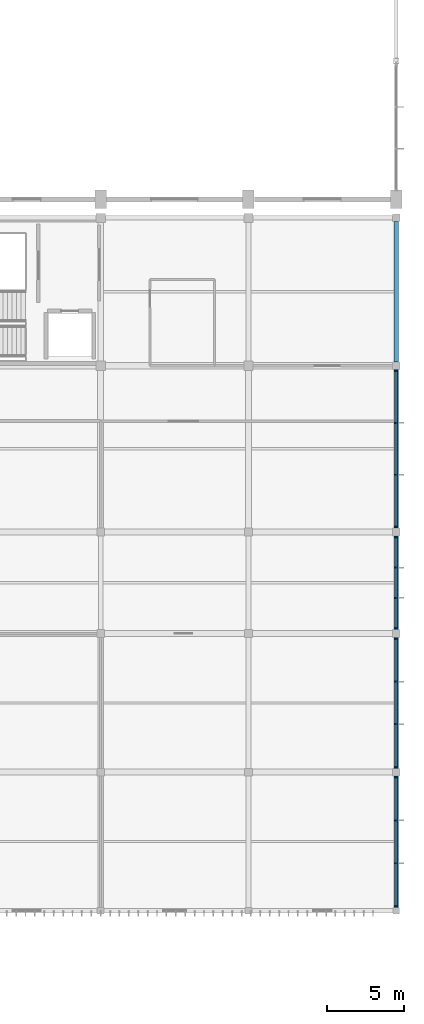
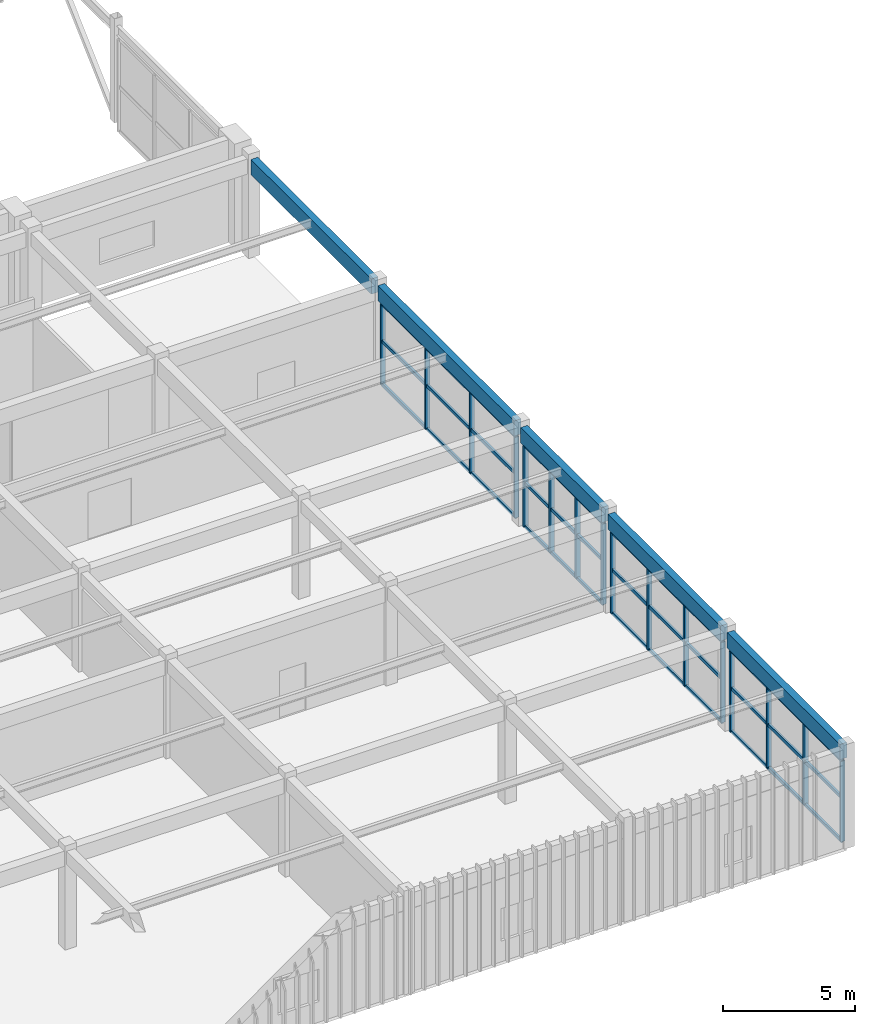
# One storey, part 31 of 74: 44 members, 5 beams, 4 elements without a shape of their own.
"""IFC4 building model written with IfcOpenShell, lengths in metres."""

from ifc_helpers import new_model, si_unit, direction, frame, origin, origin_2d, place, context, subcontext, project, spatial, rectangle, extrude, material, material_profile, profile_set, type_object, element, aggregate, save


model = new_model("IFC4")

# Units and contexts
model_context = context("Model", 3, precision=1e-05, world=origin(), true_north=direction((0.0, 1.0)))
body_context = subcontext(model_context, "Body", "Model", "MODEL_VIEW")
ifc_project = project(units=[si_unit("LENGTHUNIT", "METRE"), si_unit("AREAUNIT", "SQUARE_METRE"), si_unit("VOLUMEUNIT", "CUBIC_METRE"), si_unit("PLANEANGLEUNIT", "RADIAN"), si_unit("MASSUNIT", "GRAM", prefix="KILO")], contexts=[model_context])

# Site, building, storey
site_placement = place(None, origin())
site = spatial("IfcSite", under=ifc_project, at=site_placement, CompositionType="ELEMENT")
building_placement = place(site_placement, origin())
building = spatial("IfcBuilding", under=site, at=building_placement, Name="Suirenkawa Promenade Aquatics Centre", CompositionType="ELEMENT")
storey_placement = place(building_placement, frame((0.0, 0.0, 4.800048828125)))
storey = spatial("IfcBuildingStorey", under=building, at=storey_placement, Name="L01", CompositionType="ELEMENT", Elevation=4.800048828125)

# Beams
ifc_material_1 = material(Name="Concrete M40", Category="concrete")
ifc_material_profile_1 = material_profile(ifc_material_1, rectangle(XDim=0.300048828125, YDim=0.699951171875, at=origin_2d()), Name="RC SPANDREL 300x700", Category="concrete")
ifc_profile_set_1 = profile_set([ifc_material_profile_1], Name="Concrete M40")
beam_type = type_object("IfcBeamType", Name="BT-SPANDREL-300x700", PredefinedType="SPANDREL", material=ifc_profile_set_1)
beam_1_placement = place(storey_placement, frame((194.39990234375, 4.4189453125, 4.18994140625), z_axis=(0.0, 1.0, 0.0), x_axis=(-1.0, 0.0, 0.0)))
element("IfcBeam", 1, at=beam_1_placement, inside=storey, type_object=beam_type, Name="Floor beam SP-01 BM-1718", PredefinedType="SPANDREL", context=body_context, shape_type="SweptSolid", body=[
    extrude(rectangle(XDim=0.300048828125, YDim=0.699951171875, at=origin_2d()), origin(), (0.0, 0.0, 1.0), 8.537109375),
])
beam_2_placement = place(storey_placement, frame((194.39990234375, 13.444091796875, 4.18994140625), z_axis=(0.0, 1.0, 0.0), x_axis=(-1.0, 0.0, 0.0)))
element("IfcBeam", 2, at=beam_2_placement, inside=storey, type_object=beam_type, Name="Floor beam SP-01 BM-1719", PredefinedType="SPANDREL", context=body_context, shape_type="SweptSolid", body=[
    extrude(rectangle(XDim=0.300048828125, YDim=0.699951171875, at=origin_2d()), origin(), (0.0, 0.0, 1.0), 8.511962890625),
])
beam_3_placement = place(storey_placement, frame((194.39990234375, 22.444091796875, 4.18994140625), z_axis=(0.0, 1.0, 0.0), x_axis=(-1.0, 0.0, 0.0)))
element("IfcBeam", 3, at=beam_3_placement, inside=storey, type_object=beam_type, Name="Floor beam SP-01 BM-1720", PredefinedType="SPANDREL", context=body_context, shape_type="SweptSolid", body=[
    extrude(rectangle(XDim=0.300048828125, YDim=0.699951171875, at=origin_2d()), origin(), (0.0, 0.0, 1.0), 6.11181640625),
])
beam_4_placement = place(storey_placement, frame((194.39990234375, 29.0439453125, 4.18994140625), z_axis=(0.0, 1.0, 0.0), x_axis=(-1.0, 0.0, 0.0)))
element("IfcBeam", 4, at=beam_4_placement, inside=storey, type_object=beam_type, Name="Floor beam SP-01 BM-1721", PredefinedType="SPANDREL", context=body_context, shape_type="SweptSolid", body=[
    extrude(rectangle(XDim=0.300048828125, YDim=0.699951171875, at=origin_2d()), origin(), (0.0, 0.0, 1.0), 10.31201171875),
])
beam_5_placement = place(storey_placement, frame((194.39990234375, 39.843994140625, 4.18994140625), z_axis=(0.0, 1.0, 0.0), x_axis=(-1.0, 0.0, 0.0)))
element("IfcBeam", 5, at=beam_5_placement, inside=storey, type_object=beam_type, Name="Floor beam SP-01 BM-1722", PredefinedType="SPANDREL", context=body_context, shape_type="SweptSolid", body=[
    extrude(rectangle(XDim=0.300048828125, YDim=0.699951171875, at=origin_2d()), origin(), (0.0, 0.0, 1.0), 9.112060546875),
])

# Curtain wall, members
ifc_material_2 = material(Name="Anodised aluminium 6063-T6", Category="aluminium")
curtain_wall_type_1 = type_object("IfcCurtainWallType", Name="CWAT-V4EL01-29", PredefinedType="NOTDEFINED", material=ifc_material_2)
curtain_wall_1_placement = place(storey_placement, origin())
curtain_wall_1 = element("IfcCurtainWall", 6, at=curtain_wall_1_placement, inside=storey, type_object=curtain_wall_type_1, Name="Curtain wall CWA-29 CW-072", PredefinedType="NOTDEFINED")
ifc_material_profile_2 = material_profile(ifc_material_2, rectangle(XDim=0.094970703125, YDim=0.18994140625, at=origin_2d()), Name="ALU MULL 95x190", Category="aluminium")
ifc_profile_set_2 = profile_set([ifc_material_profile_2], Name="Anodised aluminium 6063-T6")
member_type_1 = type_object("IfcMemberType", Name="CWM-190x95", PredefinedType="MULLION", material=ifc_profile_set_2)
member_1_placement = place(storey_placement, frame((194.39990234375, 12.85107421875, 0.0), z_axis=(0.0, 0.0, 1.0), x_axis=(0.0, -1.0, 0.0)))
member_1 = element("IfcMember", 7, at=member_1_placement, type_object=member_type_1, Name="Mullion ML-02 CWM-01448", PredefinedType="MULLION", context=body_context, shape_type="SweptSolid", body=[
    extrude(rectangle(XDim=0.094970703125, YDim=0.18994140625, at=origin_2d()), origin(), (0.0, 0.0, 1.0), 3.719970703125),
])
member_2_placement = place(storey_placement, frame((194.39990234375, 10.06689453125, 0.0), z_axis=(0.0, 0.0, 1.0), x_axis=(0.0, -1.0, 0.0)))
member_2 = element("IfcMember", 8, at=member_2_placement, type_object=member_type_1, Name="Mullion ML-02 CWM-01449", PredefinedType="MULLION", context=body_context, shape_type="SweptSolid", body=[
    extrude(rectangle(XDim=0.094970703125, YDim=0.18994140625, at=origin_2d()), origin(), (0.0, 0.0, 1.0), 3.719970703125),
])
member_3_placement = place(storey_placement, frame((194.39990234375, 7.282958984375, 0.0), z_axis=(0.0, 0.0, 1.0), x_axis=(0.0, -1.0, 0.0)))
member_3 = element("IfcMember", 9, at=member_3_placement, type_object=member_type_1, Name="Mullion ML-02 CWM-01450", PredefinedType="MULLION", context=body_context, shape_type="SweptSolid", body=[
    extrude(rectangle(XDim=0.094970703125, YDim=0.18994140625, at=origin_2d()), origin(), (0.0, 0.0, 1.0), 3.719970703125),
])
member_4_placement = place(storey_placement, frame((194.39990234375, 4.4990234375, 0.0), z_axis=(0.0, 0.0, 1.0), x_axis=(0.0, -1.0, 0.0)))
member_4 = element("IfcMember", 10, at=member_4_placement, type_object=member_type_1, Name="Mullion ML-02 CWM-01451", PredefinedType="MULLION", context=body_context, shape_type="SweptSolid", body=[
    extrude(rectangle(XDim=0.094970703125, YDim=0.18994140625, at=origin_2d()), origin(), (0.0, 0.0, 1.0), 3.719970703125),
])

curtain_wall_type_2 = type_object("IfcCurtainWallType", Name="CWAT-V4EL01-31", PredefinedType="NOTDEFINED", material=ifc_material_2)
curtain_wall_2_placement = place(storey_placement, origin())
curtain_wall_2 = element("IfcCurtainWall", 11, at=curtain_wall_2_placement, inside=storey, type_object=curtain_wall_type_2, Name="Curtain wall CWA-31 CW-074", PredefinedType="NOTDEFINED")
member_5_placement = place(storey_placement, frame((194.39990234375, 21.85107421875, 0.0), z_axis=(0.0, 0.0, 1.0), x_axis=(0.0, -1.0, 0.0)))
member_5 = element("IfcMember", 12, at=member_5_placement, type_object=member_type_1, Name="Mullion ML-02 CWM-01482", PredefinedType="MULLION", context=body_context, shape_type="SweptSolid", body=[
    extrude(rectangle(XDim=0.094970703125, YDim=0.18994140625, at=origin_2d()), origin(), (0.0, 0.0, 1.0), 3.719970703125),
])
member_6_placement = place(storey_placement, frame((194.39990234375, 19.083740234375, 0.0), z_axis=(0.0, 0.0, 1.0), x_axis=(0.0, -1.0, 0.0)))
member_6 = element("IfcMember", 13, at=member_6_placement, type_object=member_type_1, Name="Mullion ML-02 CWM-01483", PredefinedType="MULLION", context=body_context, shape_type="SweptSolid", body=[
    extrude(rectangle(XDim=0.094970703125, YDim=0.18994140625, at=origin_2d()), origin(), (0.0, 0.0, 1.0), 3.719970703125),
])
member_7_placement = place(storey_placement, frame((194.39990234375, 16.31640625, 0.0), z_axis=(0.0, 0.0, 1.0), x_axis=(0.0, -1.0, 0.0)))
member_7 = element("IfcMember", 14, at=member_7_placement, type_object=member_type_1, Name="Mullion ML-02 CWM-01484", PredefinedType="MULLION", context=body_context, shape_type="SweptSolid", body=[
    extrude(rectangle(XDim=0.094970703125, YDim=0.18994140625, at=origin_2d()), origin(), (0.0, 0.0, 1.0), 3.719970703125),
])
member_8_placement = place(storey_placement, frame((194.39990234375, 13.549072265625, 0.0), z_axis=(0.0, 0.0, 1.0), x_axis=(0.0, -1.0, 0.0)))
member_8 = element("IfcMember", 15, at=member_8_placement, type_object=member_type_1, Name="Mullion ML-02 CWM-01485", PredefinedType="MULLION", context=body_context, shape_type="SweptSolid", body=[
    extrude(rectangle(XDim=0.094970703125, YDim=0.18994140625, at=origin_2d()), origin(), (0.0, 0.0, 1.0), 3.719970703125),
])

curtain_wall_type_3 = type_object("IfcCurtainWallType", Name="CWAT-V4EL01-33", PredefinedType="NOTDEFINED", material=ifc_material_2)
curtain_wall_3_placement = place(storey_placement, origin())
curtain_wall_3 = element("IfcCurtainWall", 16, at=curtain_wall_3_placement, inside=storey, type_object=curtain_wall_type_3, Name="Curtain wall CWA-33 CW-076", PredefinedType="NOTDEFINED")
member_9_placement = place(storey_placement, frame((194.39990234375, 28.450927734375, 0.0), z_axis=(0.0, 0.0, 1.0), x_axis=(0.0, -1.0, 0.0)))
member_9 = element("IfcMember", 17, at=member_9_placement, type_object=member_type_1, Name="Mullion ML-02 CWM-01516", PredefinedType="MULLION", context=body_context, shape_type="SweptSolid", body=[
    extrude(rectangle(XDim=0.094970703125, YDim=0.18994140625, at=origin_2d()), origin(), (0.0, 0.0, 1.0), 3.719970703125),
])
member_10_placement = place(storey_placement, frame((194.39990234375, 26.483642578125, 0.0), z_axis=(0.0, 0.0, 1.0), x_axis=(0.0, -1.0, 0.0)))
member_10 = element("IfcMember", 18, at=member_10_placement, type_object=member_type_1, Name="Mullion ML-02 CWM-01517", PredefinedType="MULLION", context=body_context, shape_type="SweptSolid", body=[
    extrude(rectangle(XDim=0.094970703125, YDim=0.18994140625, at=origin_2d()), origin(), (0.0, 0.0, 1.0), 3.719970703125),
])
member_11_placement = place(storey_placement, frame((194.39990234375, 24.516357421875, 0.0), z_axis=(0.0, 0.0, 1.0), x_axis=(0.0, -1.0, 0.0)))
member_11 = element("IfcMember", 19, at=member_11_placement, type_object=member_type_1, Name="Mullion ML-02 CWM-01518", PredefinedType="MULLION", context=body_context, shape_type="SweptSolid", body=[
    extrude(rectangle(XDim=0.094970703125, YDim=0.18994140625, at=origin_2d()), origin(), (0.0, 0.0, 1.0), 3.719970703125),
])
member_12_placement = place(storey_placement, frame((194.39990234375, 22.549072265625, 0.0), z_axis=(0.0, 0.0, 1.0), x_axis=(0.0, -1.0, 0.0)))
member_12 = element("IfcMember", 20, at=member_12_placement, type_object=member_type_1, Name="Mullion ML-02 CWM-01519", PredefinedType="MULLION", context=body_context, shape_type="SweptSolid", body=[
    extrude(rectangle(XDim=0.094970703125, YDim=0.18994140625, at=origin_2d()), origin(), (0.0, 0.0, 1.0), 3.719970703125),
])

curtain_wall_type_4 = type_object("IfcCurtainWallType", Name="CWAT-V4EL01-35", PredefinedType="NOTDEFINED", material=ifc_material_2)
curtain_wall_4_placement = place(storey_placement, origin())
curtain_wall_4 = element("IfcCurtainWall", 21, at=curtain_wall_4_placement, inside=storey, type_object=curtain_wall_type_4, Name="Curtain wall CWA-35 CW-078", PredefinedType="NOTDEFINED")
member_13_placement = place(storey_placement, frame((194.39990234375, 39.2509765625, 0.0), z_axis=(0.0, 0.0, 1.0), x_axis=(0.0, -1.0, 0.0)))
member_13 = element("IfcMember", 22, at=member_13_placement, type_object=member_type_1, Name="Mullion ML-02 CWM-01550", PredefinedType="MULLION", context=body_context, shape_type="SweptSolid", body=[
    extrude(rectangle(XDim=0.094970703125, YDim=0.18994140625, at=origin_2d()), origin(), (0.0, 0.0, 1.0), 3.719970703125),
])
member_14_placement = place(storey_placement, frame((194.39990234375, 35.8837890625, 0.0), z_axis=(0.0, 0.0, 1.0), x_axis=(0.0, -1.0, 0.0)))
member_14 = element("IfcMember", 23, at=member_14_placement, type_object=member_type_1, Name="Mullion ML-02 CWM-01551", PredefinedType="MULLION", context=body_context, shape_type="SweptSolid", body=[
    extrude(rectangle(XDim=0.094970703125, YDim=0.18994140625, at=origin_2d()), origin(), (0.0, 0.0, 1.0), 3.719970703125),
])
member_15_placement = place(storey_placement, frame((194.39990234375, 32.516357421875, 0.0), z_axis=(0.0, 0.0, 1.0), x_axis=(0.0, -1.0, 0.0)))
member_15 = element("IfcMember", 24, at=member_15_placement, type_object=member_type_1, Name="Mullion ML-02 CWM-01552", PredefinedType="MULLION", context=body_context, shape_type="SweptSolid", body=[
    extrude(rectangle(XDim=0.094970703125, YDim=0.18994140625, at=origin_2d()), origin(), (0.0, 0.0, 1.0), 3.719970703125),
])
member_16_placement = place(storey_placement, frame((194.39990234375, 29.14892578125, 0.0), z_axis=(0.0, 0.0, 1.0), x_axis=(0.0, -1.0, 0.0)))
member_16 = element("IfcMember", 25, at=member_16_placement, type_object=member_type_1, Name="Mullion ML-02 CWM-01553", PredefinedType="MULLION", context=body_context, shape_type="SweptSolid", body=[
    extrude(rectangle(XDim=0.094970703125, YDim=0.18994140625, at=origin_2d()), origin(), (0.0, 0.0, 1.0), 3.719970703125),
])

# Member
ifc_material_profile_3 = material_profile(ifc_material_2, rectangle(XDim=0.094970703125, YDim=0.14990234375, at=origin_2d()), Name="ALU TRAN 95x150", Category="aluminium")
ifc_profile_set_3 = profile_set([ifc_material_profile_3], Name="Anodised aluminium 6063-T6")
member_type_2 = type_object("IfcMemberType", Name="CWT-150x95", PredefinedType="USERDEFINED", material=ifc_profile_set_3)
member_17_placement = place(storey_placement, frame((194.39990234375, 12.85107421875, 0.0), z_axis=(0.0, -1.0, 0.0), x_axis=(1.0, 0.0, 0.0)))
member_17 = element("IfcMember", 26, at=member_17_placement, type_object=member_type_2, Name="Transom TR-02 CWT-01452", ObjectType="TRANSOM", PredefinedType="USERDEFINED", context=body_context, shape_type="SweptSolid", body=[
    extrude(rectangle(XDim=0.094970703125, YDim=0.14990234375, at=origin_2d()), origin(), (0.0, 0.0, 1.0), 2.7841796875),
])

member_18_placement = place(storey_placement, frame((194.39990234375, 10.06689453125, 0.0), z_axis=(0.0, -1.0, 0.0), x_axis=(1.0, 0.0, 0.0)))
member_18 = element("IfcMember", 27, at=member_18_placement, type_object=member_type_2, Name="Transom TR-02 CWT-01453", ObjectType="TRANSOM", PredefinedType="USERDEFINED", context=body_context, shape_type="SweptSolid", body=[
    extrude(rectangle(XDim=0.094970703125, YDim=0.14990234375, at=origin_2d()), origin(), (0.0, 0.0, 1.0), 2.783935546875),
])

member_19_placement = place(storey_placement, frame((194.39990234375, 7.282958984375, 0.0), z_axis=(0.0, -1.0, 0.0), x_axis=(1.0, 0.0, 0.0)))
member_19 = element("IfcMember", 28, at=member_19_placement, type_object=member_type_2, Name="Transom TR-02 CWT-01454", ObjectType="TRANSOM", PredefinedType="USERDEFINED", context=body_context, shape_type="SweptSolid", body=[
    extrude(rectangle(XDim=0.094970703125, YDim=0.14990234375, at=origin_2d()), origin(), (0.0, 0.0, 1.0), 2.783935546875),
])

member_20_placement = place(storey_placement, frame((194.39990234375, 12.85107421875, 2.0), z_axis=(0.0, -1.0, 0.0), x_axis=(1.0, 0.0, 0.0)))
member_20 = element("IfcMember", 29, at=member_20_placement, type_object=member_type_2, Name="Transom TR-02 CWT-01455", ObjectType="TRANSOM", PredefinedType="USERDEFINED", context=body_context, shape_type="SweptSolid", body=[
    extrude(rectangle(XDim=0.094970703125, YDim=0.14990234375, at=origin_2d()), origin(), (0.0, 0.0, 1.0), 2.7841796875),
])

member_21_placement = place(storey_placement, frame((194.39990234375, 10.06689453125, 2.0), z_axis=(0.0, -1.0, 0.0), x_axis=(1.0, 0.0, 0.0)))
member_21 = element("IfcMember", 30, at=member_21_placement, type_object=member_type_2, Name="Transom TR-02 CWT-01456", ObjectType="TRANSOM", PredefinedType="USERDEFINED", context=body_context, shape_type="SweptSolid", body=[
    extrude(rectangle(XDim=0.094970703125, YDim=0.14990234375, at=origin_2d()), origin(), (0.0, 0.0, 1.0), 2.783935546875),
])

member_22_placement = place(storey_placement, frame((194.39990234375, 7.282958984375, 2.0), z_axis=(0.0, -1.0, 0.0), x_axis=(1.0, 0.0, 0.0)))
member_22 = element("IfcMember", 31, at=member_22_placement, type_object=member_type_2, Name="Transom TR-02 CWT-01457", ObjectType="TRANSOM", PredefinedType="USERDEFINED", context=body_context, shape_type="SweptSolid", body=[
    extrude(rectangle(XDim=0.094970703125, YDim=0.14990234375, at=origin_2d()), origin(), (0.0, 0.0, 1.0), 2.783935546875),
])

member_23_placement = place(storey_placement, frame((194.39990234375, 12.85107421875, 3.719970703125), z_axis=(0.0, -1.0, 0.0), x_axis=(1.0, 0.0, 0.0)))
member_23 = element("IfcMember", 32, at=member_23_placement, type_object=member_type_2, Name="Roofline transom TR-02 CWT-01458", ObjectType="TRANSOM", PredefinedType="USERDEFINED", context=body_context, shape_type="SweptSolid", body=[
    extrude(rectangle(XDim=0.094970703125, YDim=0.14990234375, at=origin_2d()), origin(), (0.0, 0.0, 1.0), 8.35205078125),
])

aggregate(curtain_wall_1, [member_1, member_2, member_3, member_4, member_17, member_18, member_19, member_20, member_21, member_22, member_23])

member_24_placement = place(storey_placement, frame((194.39990234375, 21.85107421875, 0.0), z_axis=(0.0, -1.0, 0.0), x_axis=(1.0, 0.0, 0.0)))
member_24 = element("IfcMember", 33, at=member_24_placement, type_object=member_type_2, Name="Transom TR-02 CWT-01486", ObjectType="TRANSOM", PredefinedType="USERDEFINED", context=body_context, shape_type="SweptSolid", body=[
    extrude(rectangle(XDim=0.094970703125, YDim=0.14990234375, at=origin_2d()), origin(), (0.0, 0.0, 1.0), 2.767333984375),
])

member_25_placement = place(storey_placement, frame((194.39990234375, 19.083740234375, 0.0), z_axis=(0.0, -1.0, 0.0), x_axis=(1.0, 0.0, 0.0)))
member_25 = element("IfcMember", 34, at=member_25_placement, type_object=member_type_2, Name="Transom TR-02 CWT-01487", ObjectType="TRANSOM", PredefinedType="USERDEFINED", context=body_context, shape_type="SweptSolid", body=[
    extrude(rectangle(XDim=0.094970703125, YDim=0.14990234375, at=origin_2d()), origin(), (0.0, 0.0, 1.0), 2.767333984375),
])

member_26_placement = place(storey_placement, frame((194.39990234375, 16.31640625, 0.0), z_axis=(0.0, -1.0, 0.0), x_axis=(1.0, 0.0, 0.0)))
member_26 = element("IfcMember", 35, at=member_26_placement, type_object=member_type_2, Name="Transom TR-02 CWT-01488", ObjectType="TRANSOM", PredefinedType="USERDEFINED", context=body_context, shape_type="SweptSolid", body=[
    extrude(rectangle(XDim=0.094970703125, YDim=0.14990234375, at=origin_2d()), origin(), (0.0, 0.0, 1.0), 2.767333984375),
])

member_27_placement = place(storey_placement, frame((194.39990234375, 21.85107421875, 2.0), z_axis=(0.0, -1.0, 0.0), x_axis=(1.0, 0.0, 0.0)))
member_27 = element("IfcMember", 36, at=member_27_placement, type_object=member_type_2, Name="Transom TR-02 CWT-01489", ObjectType="TRANSOM", PredefinedType="USERDEFINED", context=body_context, shape_type="SweptSolid", body=[
    extrude(rectangle(XDim=0.094970703125, YDim=0.14990234375, at=origin_2d()), origin(), (0.0, 0.0, 1.0), 2.767333984375),
])

member_28_placement = place(storey_placement, frame((194.39990234375, 19.083740234375, 2.0), z_axis=(0.0, -1.0, 0.0), x_axis=(1.0, 0.0, 0.0)))
member_28 = element("IfcMember", 37, at=member_28_placement, type_object=member_type_2, Name="Transom TR-02 CWT-01490", ObjectType="TRANSOM", PredefinedType="USERDEFINED", context=body_context, shape_type="SweptSolid", body=[
    extrude(rectangle(XDim=0.094970703125, YDim=0.14990234375, at=origin_2d()), origin(), (0.0, 0.0, 1.0), 2.767333984375),
])

member_29_placement = place(storey_placement, frame((194.39990234375, 16.31640625, 2.0), z_axis=(0.0, -1.0, 0.0), x_axis=(1.0, 0.0, 0.0)))
member_29 = element("IfcMember", 38, at=member_29_placement, type_object=member_type_2, Name="Transom TR-02 CWT-01491", ObjectType="TRANSOM", PredefinedType="USERDEFINED", context=body_context, shape_type="SweptSolid", body=[
    extrude(rectangle(XDim=0.094970703125, YDim=0.14990234375, at=origin_2d()), origin(), (0.0, 0.0, 1.0), 2.767333984375),
])

member_30_placement = place(storey_placement, frame((194.39990234375, 21.85107421875, 3.719970703125), z_axis=(0.0, -1.0, 0.0), x_axis=(1.0, 0.0, 0.0)))
member_30 = element("IfcMember", 39, at=member_30_placement, type_object=member_type_2, Name="Roofline transom TR-02 CWT-01492", ObjectType="TRANSOM", PredefinedType="USERDEFINED", context=body_context, shape_type="SweptSolid", body=[
    extrude(rectangle(XDim=0.094970703125, YDim=0.14990234375, at=origin_2d()), origin(), (0.0, 0.0, 1.0), 8.302001953125),
])

aggregate(curtain_wall_2, [member_5, member_6, member_7, member_8, member_24, member_25, member_26, member_27, member_28, member_29, member_30])

member_31_placement = place(storey_placement, frame((194.39990234375, 28.450927734375, 0.0), z_axis=(0.0, -1.0, 0.0), x_axis=(1.0, 0.0, 0.0)))
member_31 = element("IfcMember", 40, at=member_31_placement, type_object=member_type_2, Name="Transom TR-02 CWT-01520", ObjectType="TRANSOM", PredefinedType="USERDEFINED", context=body_context, shape_type="SweptSolid", body=[
    extrude(rectangle(XDim=0.094970703125, YDim=0.14990234375, at=origin_2d()), origin(), (0.0, 0.0, 1.0), 1.96728515625),
])

member_32_placement = place(storey_placement, frame((194.39990234375, 26.483642578125, 0.0), z_axis=(0.0, -1.0, 0.0), x_axis=(1.0, 0.0, 0.0)))
member_32 = element("IfcMember", 41, at=member_32_placement, type_object=member_type_2, Name="Transom TR-02 CWT-01521", ObjectType="TRANSOM", PredefinedType="USERDEFINED", context=body_context, shape_type="SweptSolid", body=[
    extrude(rectangle(XDim=0.094970703125, YDim=0.14990234375, at=origin_2d()), origin(), (0.0, 0.0, 1.0), 1.96728515625),
])

member_33_placement = place(storey_placement, frame((194.39990234375, 24.516357421875, 0.0), z_axis=(0.0, -1.0, 0.0), x_axis=(1.0, 0.0, 0.0)))
member_33 = element("IfcMember", 42, at=member_33_placement, type_object=member_type_2, Name="Transom TR-02 CWT-01522", ObjectType="TRANSOM", PredefinedType="USERDEFINED", context=body_context, shape_type="SweptSolid", body=[
    extrude(rectangle(XDim=0.094970703125, YDim=0.14990234375, at=origin_2d()), origin(), (0.0, 0.0, 1.0), 1.96728515625),
])

member_34_placement = place(storey_placement, frame((194.39990234375, 28.450927734375, 2.0), z_axis=(0.0, -1.0, 0.0), x_axis=(1.0, 0.0, 0.0)))
member_34 = element("IfcMember", 43, at=member_34_placement, type_object=member_type_2, Name="Transom TR-02 CWT-01523", ObjectType="TRANSOM", PredefinedType="USERDEFINED", context=body_context, shape_type="SweptSolid", body=[
    extrude(rectangle(XDim=0.094970703125, YDim=0.14990234375, at=origin_2d()), origin(), (0.0, 0.0, 1.0), 1.96728515625),
])

member_35_placement = place(storey_placement, frame((194.39990234375, 26.483642578125, 2.0), z_axis=(0.0, -1.0, 0.0), x_axis=(1.0, 0.0, 0.0)))
member_35 = element("IfcMember", 44, at=member_35_placement, type_object=member_type_2, Name="Transom TR-02 CWT-01524", ObjectType="TRANSOM", PredefinedType="USERDEFINED", context=body_context, shape_type="SweptSolid", body=[
    extrude(rectangle(XDim=0.094970703125, YDim=0.14990234375, at=origin_2d()), origin(), (0.0, 0.0, 1.0), 1.96728515625),
])

member_36_placement = place(storey_placement, frame((194.39990234375, 24.516357421875, 2.0), z_axis=(0.0, -1.0, 0.0), x_axis=(1.0, 0.0, 0.0)))
member_36 = element("IfcMember", 45, at=member_36_placement, type_object=member_type_2, Name="Transom TR-02 CWT-01525", ObjectType="TRANSOM", PredefinedType="USERDEFINED", context=body_context, shape_type="SweptSolid", body=[
    extrude(rectangle(XDim=0.094970703125, YDim=0.14990234375, at=origin_2d()), origin(), (0.0, 0.0, 1.0), 1.96728515625),
])

member_37_placement = place(storey_placement, frame((194.39990234375, 28.450927734375, 3.719970703125), z_axis=(0.0, -1.0, 0.0), x_axis=(1.0, 0.0, 0.0)))
member_37 = element("IfcMember", 46, at=member_37_placement, type_object=member_type_2, Name="Roofline transom TR-02 CWT-01526", ObjectType="TRANSOM", PredefinedType="USERDEFINED", context=body_context, shape_type="SweptSolid", body=[
    extrude(rectangle(XDim=0.094970703125, YDim=0.14990234375, at=origin_2d()), origin(), (0.0, 0.0, 1.0), 5.90185546875),
])

aggregate(curtain_wall_3, [member_9, member_10, member_11, member_12, member_31, member_32, member_33, member_34, member_35, member_36, member_37])

member_38_placement = place(storey_placement, frame((194.39990234375, 39.2509765625, 0.0), z_axis=(0.0, -1.0, 0.0), x_axis=(1.0, 0.0, 0.0)))
member_38 = element("IfcMember", 47, at=member_38_placement, type_object=member_type_2, Name="Transom TR-02 CWT-01554", ObjectType="TRANSOM", PredefinedType="USERDEFINED", context=body_context, shape_type="SweptSolid", body=[
    extrude(rectangle(XDim=0.094970703125, YDim=0.14990234375, at=origin_2d()), origin(), (0.0, 0.0, 1.0), 3.3671875),
])

member_39_placement = place(storey_placement, frame((194.39990234375, 35.8837890625, 0.0), z_axis=(0.0, -1.0, 0.0), x_axis=(1.0, 0.0, 0.0)))
member_39 = element("IfcMember", 48, at=member_39_placement, type_object=member_type_2, Name="Transom TR-02 CWT-01555", ObjectType="TRANSOM", PredefinedType="USERDEFINED", context=body_context, shape_type="SweptSolid", body=[
    extrude(rectangle(XDim=0.094970703125, YDim=0.14990234375, at=origin_2d()), origin(), (0.0, 0.0, 1.0), 3.367431640625),
])

member_40_placement = place(storey_placement, frame((194.39990234375, 32.516357421875, 0.0), z_axis=(0.0, -1.0, 0.0), x_axis=(1.0, 0.0, 0.0)))
member_40 = element("IfcMember", 49, at=member_40_placement, type_object=member_type_2, Name="Transom TR-02 CWT-01556", ObjectType="TRANSOM", PredefinedType="USERDEFINED", context=body_context, shape_type="SweptSolid", body=[
    extrude(rectangle(XDim=0.094970703125, YDim=0.14990234375, at=origin_2d()), origin(), (0.0, 0.0, 1.0), 3.367431640625),
])

member_41_placement = place(storey_placement, frame((194.39990234375, 39.2509765625, 2.0), z_axis=(0.0, -1.0, 0.0), x_axis=(1.0, 0.0, 0.0)))
member_41 = element("IfcMember", 50, at=member_41_placement, type_object=member_type_2, Name="Transom TR-02 CWT-01557", ObjectType="TRANSOM", PredefinedType="USERDEFINED", context=body_context, shape_type="SweptSolid", body=[
    extrude(rectangle(XDim=0.094970703125, YDim=0.14990234375, at=origin_2d()), origin(), (0.0, 0.0, 1.0), 3.3671875),
])

member_42_placement = place(storey_placement, frame((194.39990234375, 35.8837890625, 2.0), z_axis=(0.0, -1.0, 0.0), x_axis=(1.0, 0.0, 0.0)))
member_42 = element("IfcMember", 51, at=member_42_placement, type_object=member_type_2, Name="Transom TR-02 CWT-01558", ObjectType="TRANSOM", PredefinedType="USERDEFINED", context=body_context, shape_type="SweptSolid", body=[
    extrude(rectangle(XDim=0.094970703125, YDim=0.14990234375, at=origin_2d()), origin(), (0.0, 0.0, 1.0), 3.367431640625),
])

member_43_placement = place(storey_placement, frame((194.39990234375, 32.516357421875, 2.0), z_axis=(0.0, -1.0, 0.0), x_axis=(1.0, 0.0, 0.0)))
member_43 = element("IfcMember", 52, at=member_43_placement, type_object=member_type_2, Name="Transom TR-02 CWT-01559", ObjectType="TRANSOM", PredefinedType="USERDEFINED", context=body_context, shape_type="SweptSolid", body=[
    extrude(rectangle(XDim=0.094970703125, YDim=0.14990234375, at=origin_2d()), origin(), (0.0, 0.0, 1.0), 3.367431640625),
])

member_44_placement = place(storey_placement, frame((194.39990234375, 39.2509765625, 3.719970703125), z_axis=(0.0, -1.0, 0.0), x_axis=(1.0, 0.0, 0.0)))
member_44 = element("IfcMember", 53, at=member_44_placement, type_object=member_type_2, Name="Roofline transom TR-02 CWT-01560", ObjectType="TRANSOM", PredefinedType="USERDEFINED", context=body_context, shape_type="SweptSolid", body=[
    extrude(rectangle(XDim=0.094970703125, YDim=0.14990234375, at=origin_2d()), origin(), (0.0, 0.0, 1.0), 10.10205078125),
])

aggregate(curtain_wall_4, [member_13, member_14, member_15, member_16, member_38, member_39, member_40, member_41, member_42, member_43, member_44])

save(model, "model.ifc")
